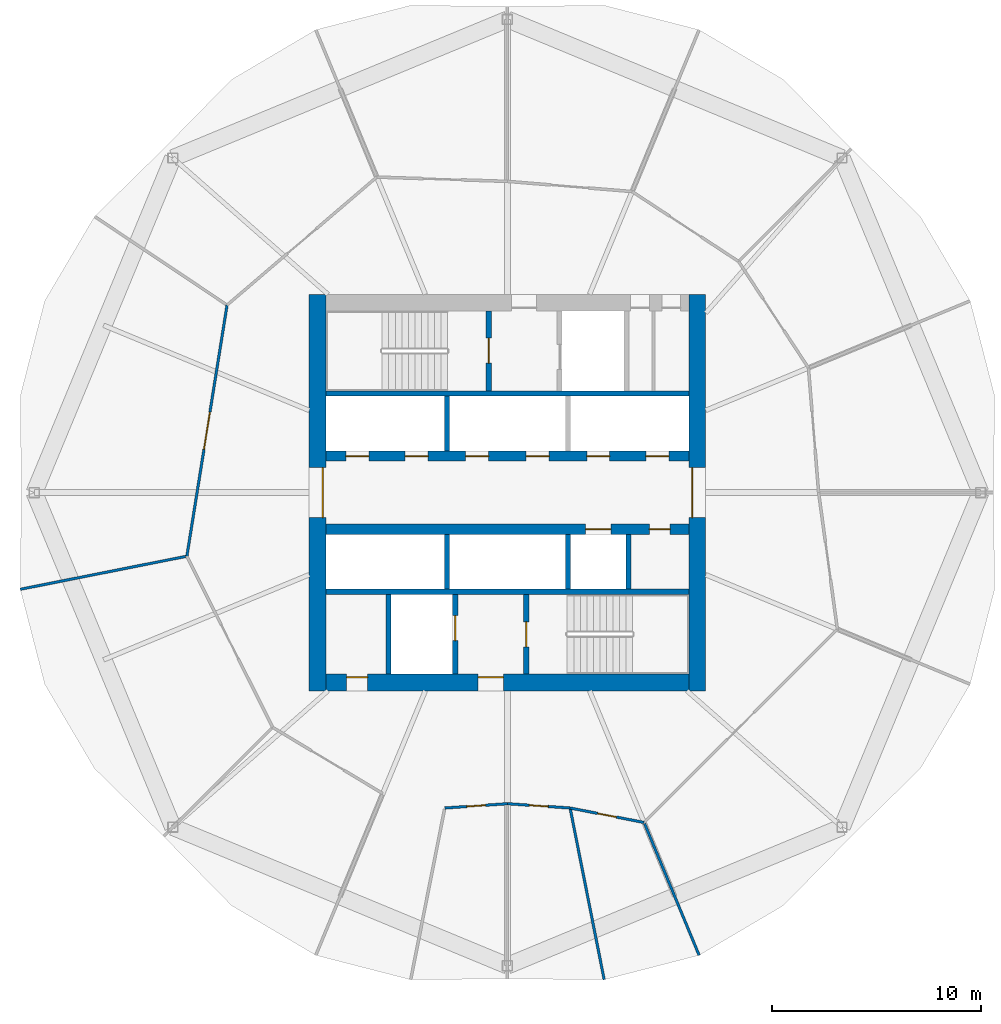
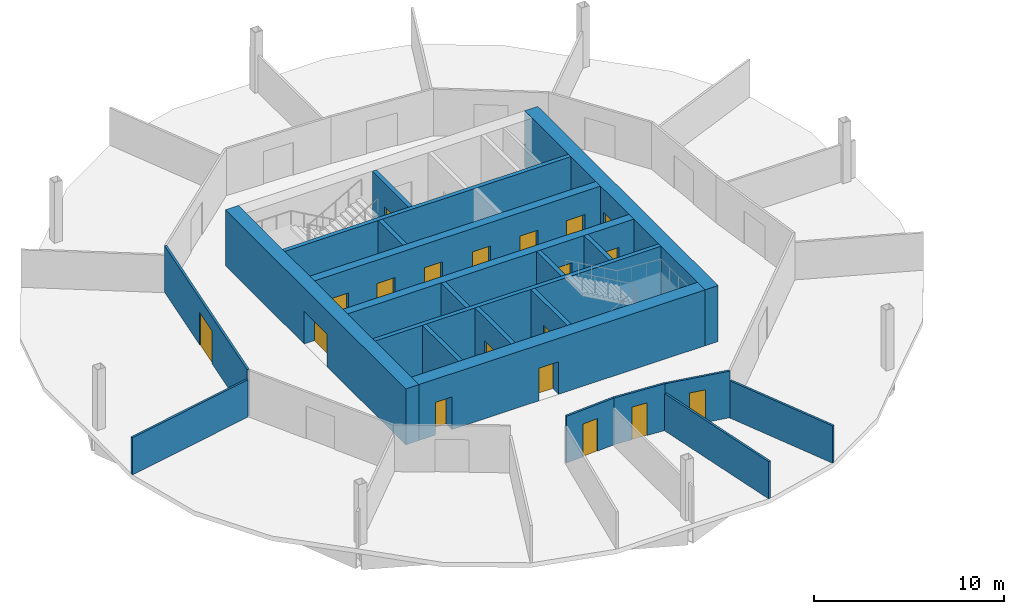
# One storey, part 4 of 9: 22 walls, 19 doors, 19 openings.
"""IFC4 building model written with IfcOpenShell, lengths in metres."""

from ifc_helpers import new_model, si_unit, direction, frame, frame_2d, origin, place, context, subcontext, project, spatial, rectangle, extrude, material, layer, layer_set, type_object, element, fill, save


model = new_model("IFC4")

# Units and contexts
model_context = context("Model", 3, precision=1e-05, world=origin(), true_north=direction((0.0, 1.0)))
body_context = subcontext(model_context, "Body", "Model", "MODEL_VIEW")
ifc_project = project(units=[si_unit("LENGTHUNIT", "METRE"), si_unit("AREAUNIT", "SQUARE_METRE"), si_unit("VOLUMEUNIT", "CUBIC_METRE"), si_unit("PLANEANGLEUNIT", "RADIAN"), si_unit("MASSUNIT", "GRAM", prefix="KILO")], contexts=[model_context])

# Site, building, storey
site_placement = place(None, origin())
site = spatial("IfcSite", under=ifc_project, at=site_placement, CompositionType="ELEMENT")
building_placement = place(site_placement, origin())
building = spatial("IfcBuilding", under=site, at=building_placement, Name="Ogive Gate Towers", CompositionType="ELEMENT")
storey_placement = place(building_placement, frame((0.0, 0.0, 80.10009765625)))
storey = spatial("IfcBuildingStorey", under=building, at=storey_placement, Name="L18", CompositionType="ELEMENT", Elevation=80.10009765625)

# Wall, openings, doors
ifc_material_1 = material(Name="Concrete C60/75", Category="concrete")
ifc_layer_1 = layer(ifc_material_1, 0.800048828125)
ifc_layer_set_1 = layer_set([ifc_layer_1], Name="Core wall 800 mm")
wall_type_1 = type_object("IfcWallType", Name="Core wall 800 mm", PredefinedType="SHEAR", material=ifc_layer_set_1)
wall_1_placement = place(storey_placement, frame((-44.699951171875, -9.10009765625, 0.0), z_axis=(0.0, 0.0, 1.0), x_axis=(1.0, 0.0, 0.0)))
wall_1 = element("IfcWall", 1, at=wall_1_placement, inside=storey, type_object=wall_type_1, Name="T1 L18 Core wall 800 mm", PredefinedType="SHEAR", context=body_context, shape_type="SweptSolid", body=[
    extrude(rectangle(XDim=17.39990234375, YDim=0.800048828125, at=frame_2d((8.699951171875, 0.0))), origin(), (0.0, 0.0, 1.0), 3.599853515625),
])
opening_1_placement = place(wall_1_placement, frame((7.300048828125, 0.0, 0.0)))
opening_1 = element("IfcOpeningElement", 2, at=opening_1_placement, cuts=wall_1, Name="Opening KD-T1-L18-16", PredefinedType="OPENING", context=body_context, shape_type="SweptSolid", body=[
    extrude(rectangle(XDim=1.199951171875, YDim=2.10009765625, at=frame_2d((0.60009765625, 1.050048828125))), frame((0.0, 0.41015625, 0.0), z_axis=(0.0, -1.0, 0.0), x_axis=(1.0, 0.0, 0.0)), (0.0, 0.0, 1.0), 0.820068359375),
])
opening_2_placement = place(wall_1_placement, frame((1.0, 0.0, 0.0)))
opening_2 = element("IfcOpeningElement", 3, at=opening_2_placement, cuts=wall_1, Name="Opening KD-T1-L18-19", PredefinedType="OPENING", context=body_context, shape_type="SweptSolid", body=[
    extrude(rectangle(XDim=1.0, YDim=2.10009765625, at=frame_2d((0.5, 1.050048828125))), frame((0.0, 0.41015625, 0.0), z_axis=(0.0, -1.0, 0.0), x_axis=(1.0, 0.0, 0.0)), (0.0, 0.0, 1.0), 0.820068359375),
])
ifc_material_2 = material(Name="Timber door", Category="wood")
door_type_1 = type_object("IfcDoorType", Name="Accessible WC door 1000 x 2100", OperationType="NOTDEFINED", PredefinedType="DOOR", material=ifc_material_2)
door_1_placement = place(opening_2_placement, origin())
door_1 = element("IfcDoor", 4, at=door_1_placement, inside=storey, type_object=door_type_1, Name="T1 L18 Core door", OperationType="SINGLE_SWING_RIGHT", OverallHeight=2.10009765625, OverallWidth=1.0, PredefinedType="DOOR", context=body_context, shape_type="SweptSolid", body=[
    extrude(rectangle(XDim=1.0, YDim=2.10009765625, at=frame_2d((0.5, 1.050048828125))), frame((0.0, 0.27490234375, 0.0), z_axis=(0.0, -1.0, 0.0), x_axis=(1.0, 0.0, 0.0)), (0.0, 0.0, 1.0), 0.050048828125),
])
fill(opening_2, door_1)
ifc_material_3 = material(Name="Steel fire door", Category="steel")
door_type_2 = type_object("IfcDoorType", Name="Core door FD60S 1200 x 2100", OperationType="NOTDEFINED", PredefinedType="DOOR", material=ifc_material_3)
door_2_placement = place(opening_1_placement, origin())
door_2 = element("IfcDoor", 5, at=door_2_placement, inside=storey, type_object=door_type_2, Name="T1 L18 Fire-fighting lobby door", OperationType="SINGLE_SWING_LEFT", OverallHeight=2.10009765625, OverallWidth=1.199951171875, PredefinedType="DOOR", context=body_context, shape_type="SweptSolid", body=[
    extrude(rectangle(XDim=1.199951171875, YDim=2.10009765625, at=frame_2d((0.60009765625, 1.050048828125))), frame((0.0, 0.27490234375, 0.0), z_axis=(0.0, -1.0, 0.0), x_axis=(1.0, 0.0, 0.0)), (0.0, 0.0, 1.0), 0.050048828125),
])
fill(opening_1, door_2)

# Wall, opening, door
wall_2_placement = place(storey_placement, frame((-45.10009765625, -9.5, 0.0), z_axis=(0.0, 0.0, 1.0), x_axis=(0.0, 1.0, 0.0)))
wall_2 = element("IfcWall", 6, at=wall_2_placement, inside=storey, type_object=wall_type_1, Name="T1 L18 Core wall 800 mm", PredefinedType="SHEAR", context=body_context, shape_type="SweptSolid", body=[
    extrude(rectangle(XDim=19.0, YDim=0.800048828125, at=frame_2d((9.5, 0.0))), origin(), (0.0, 0.0, 1.0), 3.599853515625),
])
opening_3_placement = place(wall_2_placement, frame((8.300048828125, 0.0, 0.0)))
opening_3 = element("IfcOpeningElement", 7, at=opening_3_placement, cuts=wall_2, Name="Opening KD-T1-L18-01", PredefinedType="OPENING", context=body_context, shape_type="SweptSolid", body=[
    extrude(rectangle(XDim=2.39990234375, YDim=2.10009765625, at=frame_2d((1.199951171875, 1.050048828125))), frame((0.0, 0.41015625, 0.0), z_axis=(0.0, -1.0, 0.0), x_axis=(1.0, 0.0, 0.0)), (0.0, 0.0, 1.0), 0.820068359375),
])
door_type_3 = type_object("IfcDoorType", Name="Core double door FD60S 2400 x 2100", OperationType="DOUBLE_DOOR_SINGLE_SWING", PredefinedType="DOOR", material=ifc_material_3)
door_3_placement = place(opening_3_placement, origin())
door_3 = element("IfcDoor", 8, at=door_3_placement, inside=storey, type_object=door_type_3, Name="T1 L18 Core door double", OperationType="DOUBLE_DOOR_SINGLE_SWING", OverallHeight=2.10009765625, OverallWidth=2.39990234375, PredefinedType="DOOR", context=body_context, shape_type="SweptSolid", body=[
    extrude(rectangle(XDim=2.39990234375, YDim=2.10009765625, at=frame_2d((1.199951171875, 1.050048828125))), frame((0.0, -0.22509765625, 0.0), z_axis=(0.0, -1.0, 0.0), x_axis=(1.0, 0.0, 0.0)), (0.0, 0.0, 1.0), 0.050048828125),
])
fill(opening_3, door_3)

wall_3_placement = place(storey_placement, frame((-26.89990234375, -9.5, 0.0), z_axis=(0.0, 0.0, 1.0), x_axis=(0.0, 1.0, 0.0)))
wall_3 = element("IfcWall", 9, at=wall_3_placement, inside=storey, type_object=wall_type_1, Name="T1 L18 Core wall 800 mm", PredefinedType="SHEAR", context=body_context, shape_type="SweptSolid", body=[
    extrude(rectangle(XDim=19.0, YDim=0.800048828125, at=frame_2d((9.5, 0.0))), origin(), (0.0, 0.0, 1.0), 3.599853515625),
])
opening_4_placement = place(wall_3_placement, frame((8.300048828125, 0.0, 0.0)))
opening_4 = element("IfcOpeningElement", 10, at=opening_4_placement, cuts=wall_3, Name="Opening KD-T1-L18-02", PredefinedType="OPENING", context=body_context, shape_type="SweptSolid", body=[
    extrude(rectangle(XDim=2.39990234375, YDim=2.10009765625, at=frame_2d((1.199951171875, 1.050048828125))), frame((0.0, 0.41015625, 0.0), z_axis=(0.0, -1.0, 0.0), x_axis=(1.0, 0.0, 0.0)), (0.0, 0.0, 1.0), 0.820068359375),
])
door_4_placement = place(opening_4_placement, origin())
door_4 = element("IfcDoor", 11, at=door_4_placement, inside=storey, type_object=door_type_3, Name="T1 L18 Core door double", OperationType="DOUBLE_DOOR_SINGLE_SWING", OverallHeight=2.10009765625, OverallWidth=2.39990234375, PredefinedType="DOOR", context=body_context, shape_type="SweptSolid", body=[
    extrude(rectangle(XDim=2.39990234375, YDim=2.10009765625, at=frame_2d((1.199951171875, 1.050048828125))), frame((0.0, 0.27490234375, 0.0), z_axis=(0.0, -1.0, 0.0), x_axis=(1.0, 0.0, 0.0)), (0.0, 0.0, 1.0), 0.050048828125),
])
fill(opening_4, door_4)

# Walls
ifc_material_4 = material(Name="Gypsum board partition")
ifc_layer_2 = layer(ifc_material_4, 0.125)
ifc_layer_set_2 = layer_set([ifc_layer_2], Name="Partition 125")
wall_type_2 = type_object("IfcWallType", Name="Partition 125", PredefinedType="PARTITIONING", material=ifc_layer_set_2)
wall_4_placement = place(storey_placement, frame((-59.34375, -4.6357421875, 0.0), z_axis=(0.0, 0.0, 1.0), x_axis=(0.980844858088, 0.194790565382, 0.0)))
element("IfcWall", 12, at=wall_4_placement, inside=storey, type_object=wall_type_2, Name="Partition T1-L18-008", PredefinedType="PARTITIONING", context=body_context, shape_type="SweptSolid", body=[
    extrude(rectangle(XDim=8.07666015625, YDim=0.125, at=frame_2d((4.038330078125, 0.0))), origin(), (0.0, 0.0, 1.0), 2.39990234375),
])
wall_5_placement = place(storey_placement, frame((-31.3642578125, -23.34375, 0.0), z_axis=(0.0, 0.0, 1.0), x_axis=(-0.194779590765, 0.980847037525, 0.0)))
element("IfcWall", 13, at=wall_5_placement, inside=storey, type_object=wall_type_2, Name="Partition T1-L18-013", PredefinedType="PARTITIONING", context=body_context, shape_type="SweptSolid", body=[
    extrude(rectangle(XDim=8.326416015625, YDim=0.125, at=frame_2d((4.1630859375, 0.0))), origin(), (0.0, 0.0, 1.0), 2.39990234375),
])
wall_6_placement = place(storey_placement, frame((-26.815673828125, -22.173095703125, 0.0), z_axis=(0.0, 0.0, 1.0), x_axis=(-0.382671864206, 0.923884324115, 0.0)))
element("IfcWall", 14, at=wall_6_placement, inside=storey, type_object=wall_type_2, Name="Partition T1-L18-014", PredefinedType="PARTITIONING", context=body_context, shape_type="SweptSolid", body=[
    extrude(rectangle(XDim=6.826416015625, YDim=0.125, at=frame_2d((3.4130859375, 0.0))), origin(), (0.0, 0.0, 1.0), 2.39990234375),
])

# Wall, opening, door
wall_7_placement = place(storey_placement, frame((-39.001708984375, -15.115478515625, 0.0), z_axis=(0.0, 0.0, 1.0), x_axis=(0.997663247132, 0.068323095086, 0.0)))
wall_7 = element("IfcWall", 15, at=wall_7_placement, inside=storey, type_object=wall_type_2, Name="Partition T1-L18-016", PredefinedType="PARTITIONING", context=body_context, shape_type="SweptSolid", body=[
    extrude(rectangle(XDim=3.0087890625, YDim=0.125, at=frame_2d((1.50439453125, 0.0))), origin(), (0.0, 0.0, 1.0), 3.010009765625),
])
opening_5_placement = place(wall_7_placement, frame((1.053955078125, 0.0, 0.0)))
opening_5 = element("IfcOpeningElement", 16, at=opening_5_placement, cuts=wall_7, Name="Opening T1-L18-D01", PredefinedType="OPENING", context=body_context, shape_type="SweptSolid", body=[
    extrude(rectangle(XDim=0.89990234375, YDim=2.10009765625, at=frame_2d((0.449951171875, 1.050048828125))), frame((0.0, 0.072509765625, 0.0), z_axis=(0.0, -1.0, 0.0), x_axis=(1.0, 0.0, 0.0)), (0.0, 0.0, 1.0), 0.14501953125),
])
door_type_4 = type_object("IfcDoorType", Name="Door 900", OperationType="NOTDEFINED", PredefinedType="DOOR", material=ifc_material_2)
door_5_placement = place(opening_5_placement, origin())
door_5 = element("IfcDoor", 17, at=door_5_placement, inside=storey, type_object=door_type_4, Name="Door T1-L18-D01", OperationType="SINGLE_SWING_RIGHT", OverallHeight=2.10009765625, OverallWidth=0.89990234375, PredefinedType="DOOR", context=body_context, shape_type="SweptSolid", body=[
    extrude(rectangle(XDim=0.89990234375, YDim=2.10009765625, at=frame_2d((0.449951171875, 1.050048828125))), frame((0.0, 0.02490234375, 0.0), z_axis=(0.0, -1.0, 0.0), x_axis=(1.0, 0.0, 0.0)), (0.0, 0.0, 1.0), 0.050048828125),
])
fill(opening_5, door_5)

wall_8_placement = place(storey_placement, frame((-36.0, -14.909912109375, 0.0), z_axis=(0.0, 0.0, 1.0), x_axis=(0.997663247132, -0.068323095086, 0.0)))
wall_8 = element("IfcWall", 18, at=wall_8_placement, inside=storey, type_object=wall_type_2, Name="Partition T1-L18-017", PredefinedType="PARTITIONING", context=body_context, shape_type="SweptSolid", body=[
    extrude(rectangle(XDim=3.0087890625, YDim=0.125, at=frame_2d((1.50439453125, 0.0))), origin(), (0.0, 0.0, 1.0), 3.010009765625),
])
opening_6_placement = place(wall_8_placement, frame((1.053955078125, 0.0, 0.0)))
opening_6 = element("IfcOpeningElement", 19, at=opening_6_placement, cuts=wall_8, Name="Opening T1-L18-D02", PredefinedType="OPENING", context=body_context, shape_type="SweptSolid", body=[
    extrude(rectangle(XDim=0.89990234375, YDim=2.10009765625, at=frame_2d((0.449951171875, 1.050048828125))), frame((0.0, 0.072509765625, 0.0), z_axis=(0.0, -1.0, 0.0), x_axis=(1.0, 0.0, 0.0)), (0.0, 0.0, 1.0), 0.14501953125),
])
door_6_placement = place(opening_6_placement, origin())
door_6 = element("IfcDoor", 20, at=door_6_placement, inside=storey, type_object=door_type_4, Name="Door T1-L18-D02", OperationType="SINGLE_SWING_LEFT", OverallHeight=2.10009765625, OverallWidth=0.89990234375, PredefinedType="DOOR", context=body_context, shape_type="SweptSolid", body=[
    extrude(rectangle(XDim=0.89990234375, YDim=2.10009765625, at=frame_2d((0.449951171875, 1.050048828125))), frame((0.0, 0.02490234375, 0.0), z_axis=(0.0, -1.0, 0.0), x_axis=(1.0, 0.0, 0.0)), (0.0, 0.0, 1.0), 0.050048828125),
])
fill(opening_6, door_6)

wall_9_placement = place(storey_placement, frame((-32.998291015625, -15.115478515625, 0.0), z_axis=(0.0, 0.0, 1.0), x_axis=(0.981431383332, -0.191813554817, 0.0)))
wall_9 = element("IfcWall", 21, at=wall_9_placement, inside=storey, type_object=wall_type_2, Name="Partition T1-L18-018", PredefinedType="PARTITIONING", context=body_context, shape_type="SweptSolid", body=[
    extrude(rectangle(XDim=3.613525390625, YDim=0.125, at=frame_2d((1.806640625, 0.0))), origin(), (0.0, 0.0, 1.0), 3.0),
])
opening_7_placement = place(wall_9_placement, frame((1.35693359375, 0.0, 0.0)))
opening_7 = element("IfcOpeningElement", 22, at=opening_7_placement, cuts=wall_9, Name="Opening T1-L18-D03", PredefinedType="OPENING", context=body_context, shape_type="SweptSolid", body=[
    extrude(rectangle(XDim=0.89990234375, YDim=2.10009765625, at=frame_2d((0.449951171875, 1.050048828125))), frame((0.0, 0.072509765625, 0.0), z_axis=(0.0, -1.0, 0.0), x_axis=(1.0, 0.0, 0.0)), (0.0, 0.0, 1.0), 0.14501953125),
])
door_7_placement = place(opening_7_placement, origin())
door_7 = element("IfcDoor", 23, at=door_7_placement, inside=storey, type_object=door_type_4, Name="Door T1-L18-D03", OperationType="SINGLE_SWING_RIGHT", OverallHeight=2.10009765625, OverallWidth=0.89990234375, PredefinedType="DOOR", context=body_context, shape_type="SweptSolid", body=[
    extrude(rectangle(XDim=0.89990234375, YDim=2.10009765625, at=frame_2d((0.449951171875, 1.050048828125))), frame((0.0, 0.02490234375, 0.0), z_axis=(0.0, -1.0, 0.0), x_axis=(1.0, 0.0, 0.0)), (0.0, 0.0, 1.0), 0.050048828125),
])
fill(opening_7, door_7)

wall_10_placement = place(storey_placement, frame((-49.43408203125, 8.982666015625, 0.0), z_axis=(0.0, 0.0, 1.0), x_axis=(-0.158089733584, -0.987424749606, 0.0)))
wall_10 = element("IfcWall", 24, at=wall_10_placement, inside=storey, type_object=wall_type_2, Name="Partition T1-L18-027", PredefinedType="PARTITIONING", context=body_context, shape_type="SweptSolid", body=[
    extrude(rectangle(XDim=12.186279296875, YDim=0.125, at=frame_2d((6.09326171875, 0.0))), origin(), (0.0, 0.0, 1.0), 3.0),
])
opening_8_placement = place(wall_10_placement, frame((5.193115234375, 0.0, 0.0)))
opening_8 = element("IfcOpeningElement", 25, at=opening_8_placement, cuts=wall_10, Name="Opening T1-L18-D12", PredefinedType="OPENING", context=body_context, shape_type="SweptSolid", body=[
    extrude(rectangle(XDim=1.800048828125, YDim=2.10009765625, at=frame_2d((0.89990234375, 1.050048828125))), frame((0.0, 0.072509765625, 0.0), z_axis=(0.0, -1.0, 0.0), x_axis=(1.0, 0.0, 0.0)), (0.0, 0.0, 1.0), 0.14501953125),
])
door_type_5 = type_object("IfcDoorType", Name="Door pair 1800", OperationType="NOTDEFINED", PredefinedType="DOOR", material=ifc_material_2)
door_8_placement = place(opening_8_placement, origin())
door_8 = element("IfcDoor", 26, at=door_8_placement, inside=storey, type_object=door_type_5, Name="Door T1-L18-D12", OperationType="DOUBLE_DOOR_DOUBLE_SWING", OverallHeight=2.10009765625, OverallWidth=1.800048828125, PredefinedType="DOOR", context=body_context, shape_type="SweptSolid", body=[
    extrude(rectangle(XDim=1.800048828125, YDim=2.10009765625, at=frame_2d((0.89990234375, 1.050048828125))), frame((0.0, 0.02490234375, 0.0), z_axis=(0.0, -1.0, 0.0), x_axis=(1.0, 0.0, 0.0)), (0.0, 0.0, 1.0), 0.050048828125),
])
fill(opening_8, door_8)

# Walls
ifc_layer_3 = layer(ifc_material_1, 0.25)
ifc_layer_set_3 = layer_set([ifc_layer_3], Name="Shaft wall 250 mm")
wall_type_3 = type_object("IfcWallType", Name="Shaft wall 250 mm", PredefinedType="SHEAR", material=ifc_layer_set_3)
for number, where, z_axis, x_axis, name in (
    (27, (-44.699951171875, -4.75, 0.0), (0.0, 0.0, 1.0), (1.0, 0.0, 0.0), "T1 L18 Shaft wall 250 mm"),
    (28, (-44.699951171875, 4.75, 0.0), (0.0, 0.0, 1.0), (1.0, 0.0, 0.0), "T1 L18 Shaft wall 250 mm"),
):
    element("IfcWall", number, at=place(storey_placement, frame(where, z_axis=z_axis, x_axis=x_axis)), inside=storey, type_object=wall_type_3, Name=name, PredefinedType="SHEAR", context=body_context, shape_type="SweptSolid", body=[
        extrude(rectangle(XDim=17.39990234375, YDim=0.25, at=frame_2d((8.699951171875, 0.0))), origin(), (0.0, 0.0, 1.0), 3.599853515625),
    ])
wall_11_placement = place(storey_placement, frame((-41.699951171875, -8.699951171875, 0.0), z_axis=(0.0, 0.0, 1.0), x_axis=(0.0, 1.0, 0.0)))
element("IfcWall", 29, at=wall_11_placement, inside=storey, type_object=wall_type_3, Name="T1 L18 Shaft wall 250 mm", PredefinedType="SHEAR", context=body_context, shape_type="SweptSolid", body=[
    extrude(rectangle(XDim=3.824951171875, YDim=0.25, at=frame_2d((1.91259765625, 0.0))), origin(), (0.0, 0.0, 1.0), 3.599853515625),
])
for number, where, z_axis, x_axis, name in (
    (30, (-38.89990234375, -4.625, 0.0), (0.0, 0.0, 1.0), (0.0, 1.0, 0.0), "T1 L18 Shaft wall 250 mm"),
    (31, (-38.89990234375, 2.0, 0.0), (0.0, 0.0, 1.0), (0.0, 1.0, 0.0), "T1 L18 Shaft wall 250 mm"),
):
    element("IfcWall", number, at=place(storey_placement, frame(where, z_axis=z_axis, x_axis=x_axis)), inside=storey, type_object=wall_type_3, Name=name, PredefinedType="SHEAR", context=body_context, shape_type="SweptSolid", body=[
        extrude(rectangle(XDim=2.625, YDim=0.25, at=frame_2d((1.3125, 0.0))), origin(), (0.0, 0.0, 1.0), 3.599853515625),
    ])

# Wall, opening, door
wall_12_placement = place(storey_placement, frame((-38.5, -8.699951171875, 0.0), z_axis=(0.0, 0.0, 1.0), x_axis=(0.0, 1.0, 0.0)))
wall_12 = element("IfcWall", 32, at=wall_12_placement, inside=storey, type_object=wall_type_3, Name="T1 L18 Shaft wall 250 mm", PredefinedType="SHEAR", context=body_context, shape_type="SweptSolid", body=[
    extrude(rectangle(XDim=3.824951171875, YDim=0.25, at=frame_2d((1.91259765625, 0.0))), origin(), (0.0, 0.0, 1.0), 3.599853515625),
])
opening_9_placement = place(wall_12_placement, frame((1.60009765625, 0.0, 0.0)))
opening_9 = element("IfcOpeningElement", 33, at=opening_9_placement, cuts=wall_12, Name="Opening LD-T1-L18-11", PredefinedType="OPENING", context=body_context, shape_type="SweptSolid", body=[
    extrude(rectangle(XDim=1.199951171875, YDim=2.10009765625, at=frame_2d((0.60009765625, 1.050048828125))), frame((0.0, 0.135009765625, 0.0), z_axis=(0.0, -1.0, 0.0), x_axis=(1.0, 0.0, 0.0)), (0.0, 0.0, 1.0), 0.27001953125),
])
ifc_material_5 = material(Name="Stainless steel landing door", Category="steel")
door_type_6 = type_object("IfcDoorType", Name="Landing door 1200 x 2100", OperationType="SLIDING_TO_LEFT", PredefinedType="DOOR", material=ifc_material_5)
door_9_placement = place(opening_9_placement, origin())
door_9 = element("IfcDoor", 34, at=door_9_placement, inside=storey, type_object=door_type_6, Name="T1 L18 Lift landing door FF2", OperationType="SLIDING_TO_LEFT", OverallHeight=2.10009765625, OverallWidth=1.199951171875, PredefinedType="DOOR", context=body_context, shape_type="SweptSolid", body=[
    extrude(rectangle(XDim=1.199951171875, YDim=2.10009765625, at=frame_2d((0.60009765625, 1.050048828125))), frame((0.0, 0.02490234375, 0.0), z_axis=(0.0, -1.0, 0.0), x_axis=(1.0, 0.0, 0.0)), (0.0, 0.0, 1.0), 0.050048828125),
])
fill(opening_9, door_9)

wall_13_placement = place(storey_placement, frame((-36.89990234375, 4.875, 0.0), z_axis=(0.0, 0.0, 1.0), x_axis=(0.0, 1.0, 0.0)))
wall_13 = element("IfcWall", 35, at=wall_13_placement, inside=storey, type_object=wall_type_3, Name="T1 L18 Shaft wall 250 mm", PredefinedType="SHEAR", context=body_context, shape_type="SweptSolid", body=[
    extrude(rectangle(XDim=3.824951171875, YDim=0.25, at=frame_2d((1.91259765625, 0.0))), origin(), (0.0, 0.0, 1.0), 3.599853515625),
])
opening_10_placement = place(wall_13_placement, frame((1.324951171875, 0.0, 0.0)))
opening_10 = element("IfcOpeningElement", 36, at=opening_10_placement, cuts=wall_13, Name="Opening KD-T1-L18-13", PredefinedType="OPENING", context=body_context, shape_type="SweptSolid", body=[
    extrude(rectangle(XDim=1.199951171875, YDim=2.10009765625, at=frame_2d((0.60009765625, 1.050048828125))), frame((0.0, 0.135009765625, 0.0), z_axis=(0.0, -1.0, 0.0), x_axis=(1.0, 0.0, 0.0)), (0.0, 0.0, 1.0), 0.27001953125),
])
door_10_placement = place(opening_10_placement, origin())
door_10 = element("IfcDoor", 37, at=door_10_placement, inside=storey, type_object=door_type_2, Name="T1 L18 Stair door", OperationType="SINGLE_SWING_RIGHT", OverallHeight=2.10009765625, OverallWidth=1.199951171875, PredefinedType="DOOR", context=body_context, shape_type="SweptSolid", body=[
    extrude(rectangle(XDim=1.199951171875, YDim=2.10009765625, at=frame_2d((0.60009765625, 1.050048828125))), frame((0.0, 0.02490234375, 0.0), z_axis=(0.0, -1.0, 0.0), x_axis=(1.0, 0.0, 0.0)), (0.0, 0.0, 1.0), 0.050048828125),
])
fill(opening_10, door_10)

wall_14_placement = place(storey_placement, frame((-35.10009765625, -8.699951171875, 0.0), z_axis=(0.0, 0.0, 1.0), x_axis=(0.0, 1.0, 0.0)))
wall_14 = element("IfcWall", 38, at=wall_14_placement, inside=storey, type_object=wall_type_3, Name="T1 L18 Shaft wall 250 mm", PredefinedType="SHEAR", context=body_context, shape_type="SweptSolid", body=[
    extrude(rectangle(XDim=3.824951171875, YDim=0.25, at=frame_2d((1.91259765625, 0.0))), origin(), (0.0, 0.0, 1.0), 3.599853515625),
])
opening_11_placement = place(wall_14_placement, frame((1.300048828125, 0.0, 0.0)))
opening_11 = element("IfcOpeningElement", 39, at=opening_11_placement, cuts=wall_14, Name="Opening KD-T1-L18-14", PredefinedType="OPENING", context=body_context, shape_type="SweptSolid", body=[
    extrude(rectangle(XDim=1.199951171875, YDim=2.10009765625, at=frame_2d((0.60009765625, 1.050048828125))), frame((0.0, 0.135009765625, 0.0), z_axis=(0.0, -1.0, 0.0), x_axis=(1.0, 0.0, 0.0)), (0.0, 0.0, 1.0), 0.27001953125),
])
door_11_placement = place(opening_11_placement, origin())
door_11 = element("IfcDoor", 40, at=door_11_placement, inside=storey, type_object=door_type_2, Name="T1 L18 Stair door", OperationType="SINGLE_SWING_LEFT", OverallHeight=2.10009765625, OverallWidth=1.199951171875, PredefinedType="DOOR", context=body_context, shape_type="SweptSolid", body=[
    extrude(rectangle(XDim=1.199951171875, YDim=2.10009765625, at=frame_2d((0.60009765625, 1.050048828125))), frame((0.0, 0.02490234375, 0.0), z_axis=(0.0, -1.0, 0.0), x_axis=(1.0, 0.0, 0.0)), (0.0, 0.0, 1.0), 0.050048828125),
])
fill(opening_11, door_11)

# Walls
for number, where, z_axis, x_axis, name in (
    (41, (-33.10009765625, -4.625, 0.0), (0.0, 0.0, 1.0), (0.0, 1.0, 0.0), "T1 L18 Shaft wall 250 mm"),
    (42, (-30.199951171875, -4.625, 0.0), (0.0, 0.0, 1.0), (0.0, 1.0, 0.0), "T1 L18 Shaft wall 250 mm"),
):
    element("IfcWall", number, at=place(storey_placement, frame(where, z_axis=z_axis, x_axis=x_axis)), inside=storey, type_object=wall_type_3, Name=name, PredefinedType="SHEAR", context=body_context, shape_type="SweptSolid", body=[
        extrude(rectangle(XDim=2.625, YDim=0.25, at=frame_2d((1.3125, 0.0))), origin(), (0.0, 0.0, 1.0), 3.599853515625),
    ])

# Wall, openings, doors
ifc_layer_4 = layer(ifc_material_1, 0.5)
ifc_layer_set_4 = layer_set([ifc_layer_4], Name="Spine wall 500 mm")
wall_type_4 = type_object("IfcWallType", Name="Spine wall 500 mm", PredefinedType="SHEAR", material=ifc_layer_set_4)
wall_15_placement = place(storey_placement, frame((-44.699951171875, -1.75, 0.0), z_axis=(0.0, 0.0, 1.0), x_axis=(1.0, 0.0, 0.0)))
wall_15 = element("IfcWall", 43, at=wall_15_placement, inside=storey, type_object=wall_type_4, Name="T1 L18 Spine wall 500 mm", PredefinedType="SHEAR", context=body_context, shape_type="SweptSolid", body=[
    extrude(rectangle(XDim=17.39990234375, YDim=0.5, at=frame_2d((8.699951171875, 0.0))), origin(), (0.0, 0.0, 1.0), 3.599853515625),
])
opening_12_placement = place(wall_15_placement, frame((12.449951171875, 0.0, 0.0)))
opening_12 = element("IfcOpeningElement", 44, at=opening_12_placement, cuts=wall_15, Name="Opening LD-T1-L18-09", PredefinedType="OPENING", context=body_context, shape_type="SweptSolid", body=[
    extrude(rectangle(XDim=1.199951171875, YDim=2.10009765625, at=frame_2d((0.60009765625, 1.050048828125))), frame((0.0, 0.260009765625, 0.0), z_axis=(0.0, -1.0, 0.0), x_axis=(1.0, 0.0, 0.0)), (0.0, 0.0, 1.0), 0.52001953125),
])
opening_13_placement = place(wall_15_placement, frame((15.5, 0.0, 0.0)))
opening_13 = element("IfcOpeningElement", 45, at=opening_13_placement, cuts=wall_15, Name="Opening KD-T1-L18-12", PredefinedType="OPENING", context=body_context, shape_type="SweptSolid", body=[
    extrude(rectangle(XDim=1.0, YDim=2.10009765625, at=frame_2d((0.5, 1.050048828125))), frame((0.0, 0.260009765625, 0.0), z_axis=(0.0, -1.0, 0.0), x_axis=(1.0, 0.0, 0.0)), (0.0, 0.0, 1.0), 0.52001953125),
])
door_type_7 = type_object("IfcDoorType", Name="Core door FD60S 1000 x 2100", OperationType="NOTDEFINED", PredefinedType="DOOR", material=ifc_material_3)
door_12_placement = place(opening_13_placement, origin())
door_12 = element("IfcDoor", 46, at=door_12_placement, inside=storey, type_object=door_type_7, Name="T1 L18 Core door", OperationType="SINGLE_SWING_LEFT", OverallHeight=2.10009765625, OverallWidth=1.0, PredefinedType="DOOR", context=body_context, shape_type="SweptSolid", body=[
    extrude(rectangle(XDim=1.0, YDim=2.10009765625, at=frame_2d((0.5, 1.050048828125))), frame((0.0, 0.02490234375, 0.0), z_axis=(0.0, -1.0, 0.0), x_axis=(1.0, 0.0, 0.0)), (0.0, 0.0, 1.0), 0.050048828125),
])
fill(opening_13, door_12)
door_13_placement = place(opening_12_placement, origin())
door_13 = element("IfcDoor", 47, at=door_13_placement, inside=storey, type_object=door_type_6, Name="T1 L18 Lift landing door SVC", OperationType="SLIDING_TO_LEFT", OverallHeight=2.10009765625, OverallWidth=1.199951171875, PredefinedType="DOOR", context=body_context, shape_type="SweptSolid", body=[
    extrude(rectangle(XDim=1.199951171875, YDim=2.10009765625, at=frame_2d((0.60009765625, 1.050048828125))), frame((0.0, 0.02490234375, 0.0), z_axis=(0.0, -1.0, 0.0), x_axis=(1.0, 0.0, 0.0)), (0.0, 0.0, 1.0), 0.050048828125),
])
fill(opening_12, door_13)

wall_16_placement = place(storey_placement, frame((-44.699951171875, 1.75, 0.0), z_axis=(0.0, 0.0, 1.0), x_axis=(1.0, 0.0, 0.0)))
wall_16 = element("IfcWall", 48, at=wall_16_placement, inside=storey, type_object=wall_type_4, Name="T1 L18 Spine wall 500 mm", PredefinedType="SHEAR", context=body_context, shape_type="SweptSolid", body=[
    extrude(rectangle(XDim=17.39990234375, YDim=0.5, at=frame_2d((8.699951171875, 0.0))), origin(), (0.0, 0.0, 1.0), 3.599853515625),
])
opening_14_placement = place(wall_16_placement, frame((0.96240234375, 0.0, 0.0)))
opening_14 = element("IfcOpeningElement", 49, at=opening_14_placement, cuts=wall_16, Name="Opening LD-T1-L18-03", PredefinedType="OPENING", context=body_context, shape_type="SweptSolid", body=[
    extrude(rectangle(XDim=1.10009765625, YDim=2.10009765625, at=frame_2d((0.550048828125, 1.050048828125))), frame((0.0, 0.260009765625, 0.0), z_axis=(0.0, -1.0, 0.0), x_axis=(1.0, 0.0, 0.0)), (0.0, 0.0, 1.0), 0.52001953125),
])
opening_15_placement = place(wall_16_placement, frame((3.800048828125, 0.0, 0.0)))
opening_15 = element("IfcOpeningElement", 50, at=opening_15_placement, cuts=wall_16, Name="Opening LD-T1-L18-04", PredefinedType="OPENING", context=body_context, shape_type="SweptSolid", body=[
    extrude(rectangle(XDim=1.10009765625, YDim=2.10009765625, at=frame_2d((0.550048828125, 1.050048828125))), frame((0.0, 0.260009765625, 0.0), z_axis=(0.0, -1.0, 0.0), x_axis=(1.0, 0.0, 0.0)), (0.0, 0.0, 1.0), 0.52001953125),
])
opening_16_placement = place(wall_16_placement, frame((6.699951171875, 0.0, 0.0)))
opening_16 = element("IfcOpeningElement", 51, at=opening_16_placement, cuts=wall_16, Name="Opening LD-T1-L18-05", PredefinedType="OPENING", context=body_context, shape_type="SweptSolid", body=[
    extrude(rectangle(XDim=1.10009765625, YDim=2.10009765625, at=frame_2d((0.550048828125, 1.050048828125))), frame((0.0, 0.260009765625, 0.0), z_axis=(0.0, -1.0, 0.0), x_axis=(1.0, 0.0, 0.0)), (0.0, 0.0, 1.0), 0.52001953125),
])
opening_17_placement = place(wall_16_placement, frame((9.60009765625, 0.0, 0.0)))
opening_17 = element("IfcOpeningElement", 52, at=opening_17_placement, cuts=wall_16, Name="Opening LD-T1-L18-06", PredefinedType="OPENING", context=body_context, shape_type="SweptSolid", body=[
    extrude(rectangle(XDim=1.10009765625, YDim=2.10009765625, at=frame_2d((0.550048828125, 1.050048828125))), frame((0.0, 0.260009765625, 0.0), z_axis=(0.0, -1.0, 0.0), x_axis=(1.0, 0.0, 0.0)), (0.0, 0.0, 1.0), 0.52001953125),
])
opening_18_placement = place(wall_16_placement, frame((12.5, 0.0, 0.0)))
opening_18 = element("IfcOpeningElement", 53, at=opening_18_placement, cuts=wall_16, Name="Opening LD-T1-L18-07", PredefinedType="OPENING", context=body_context, shape_type="SweptSolid", body=[
    extrude(rectangle(XDim=1.10009765625, YDim=2.10009765625, at=frame_2d((0.550048828125, 1.050048828125))), frame((0.0, 0.260009765625, 0.0), z_axis=(0.0, -1.0, 0.0), x_axis=(1.0, 0.0, 0.0)), (0.0, 0.0, 1.0), 0.52001953125),
])
opening_19_placement = place(wall_16_placement, frame((15.33740234375, 0.0, 0.0)))
opening_19 = element("IfcOpeningElement", 54, at=opening_19_placement, cuts=wall_16, Name="Opening LD-T1-L18-08", PredefinedType="OPENING", context=body_context, shape_type="SweptSolid", body=[
    extrude(rectangle(XDim=1.10009765625, YDim=2.10009765625, at=frame_2d((0.550048828125, 1.050048828125))), frame((0.0, 0.260009765625, 0.0), z_axis=(0.0, -1.0, 0.0), x_axis=(1.0, 0.0, 0.0)), (0.0, 0.0, 1.0), 0.52001953125),
])
door_type_8 = type_object("IfcDoorType", Name="Landing door 1100 x 2100", OperationType="SLIDING_TO_LEFT", PredefinedType="DOOR", material=ifc_material_5)
door_14_placement = place(opening_14_placement, origin())
door_14 = element("IfcDoor", 55, at=door_14_placement, inside=storey, type_object=door_type_8, Name="T1 L18 Lift landing door A1", OperationType="SLIDING_TO_LEFT", OverallHeight=2.10009765625, OverallWidth=1.10009765625, PredefinedType="DOOR", context=body_context, shape_type="SweptSolid", body=[
    extrude(rectangle(XDim=1.10009765625, YDim=2.10009765625, at=frame_2d((0.550048828125, 1.050048828125))), frame((0.0, 0.02490234375, 0.0), z_axis=(0.0, -1.0, 0.0), x_axis=(1.0, 0.0, 0.0)), (0.0, 0.0, 1.0), 0.050048828125),
])
fill(opening_14, door_14)
door_15_placement = place(opening_15_placement, origin())
door_15 = element("IfcDoor", 56, at=door_15_placement, inside=storey, type_object=door_type_8, Name="T1 L18 Lift landing door A2", OperationType="SLIDING_TO_LEFT", OverallHeight=2.10009765625, OverallWidth=1.10009765625, PredefinedType="DOOR", context=body_context, shape_type="SweptSolid", body=[
    extrude(rectangle(XDim=1.10009765625, YDim=2.10009765625, at=frame_2d((0.550048828125, 1.050048828125))), frame((0.0, 0.02490234375, 0.0), z_axis=(0.0, -1.0, 0.0), x_axis=(1.0, 0.0, 0.0)), (0.0, 0.0, 1.0), 0.050048828125),
])
fill(opening_15, door_15)
door_16_placement = place(opening_16_placement, origin())
door_16 = element("IfcDoor", 57, at=door_16_placement, inside=storey, type_object=door_type_8, Name="T1 L18 Lift landing door A3", OperationType="SLIDING_TO_LEFT", OverallHeight=2.10009765625, OverallWidth=1.10009765625, PredefinedType="DOOR", context=body_context, shape_type="SweptSolid", body=[
    extrude(rectangle(XDim=1.10009765625, YDim=2.10009765625, at=frame_2d((0.550048828125, 1.050048828125))), frame((0.0, 0.02490234375, 0.0), z_axis=(0.0, -1.0, 0.0), x_axis=(1.0, 0.0, 0.0)), (0.0, 0.0, 1.0), 0.050048828125),
])
fill(opening_16, door_16)
door_17_placement = place(opening_17_placement, origin())
door_17 = element("IfcDoor", 58, at=door_17_placement, inside=storey, type_object=door_type_8, Name="T1 L18 Lift landing door A4", OperationType="SLIDING_TO_LEFT", OverallHeight=2.10009765625, OverallWidth=1.10009765625, PredefinedType="DOOR", context=body_context, shape_type="SweptSolid", body=[
    extrude(rectangle(XDim=1.10009765625, YDim=2.10009765625, at=frame_2d((0.550048828125, 1.050048828125))), frame((0.0, 0.02490234375, 0.0), z_axis=(0.0, -1.0, 0.0), x_axis=(1.0, 0.0, 0.0)), (0.0, 0.0, 1.0), 0.050048828125),
])
fill(opening_17, door_17)
door_18_placement = place(opening_18_placement, origin())
door_18 = element("IfcDoor", 59, at=door_18_placement, inside=storey, type_object=door_type_8, Name="T1 L18 Lift landing door A5", OperationType="SLIDING_TO_LEFT", OverallHeight=2.10009765625, OverallWidth=1.10009765625, PredefinedType="DOOR", context=body_context, shape_type="SweptSolid", body=[
    extrude(rectangle(XDim=1.10009765625, YDim=2.10009765625, at=frame_2d((0.550048828125, 1.050048828125))), frame((0.0, 0.02490234375, 0.0), z_axis=(0.0, -1.0, 0.0), x_axis=(1.0, 0.0, 0.0)), (0.0, 0.0, 1.0), 0.050048828125),
])
fill(opening_18, door_18)
door_19_placement = place(opening_19_placement, origin())
door_19 = element("IfcDoor", 60, at=door_19_placement, inside=storey, type_object=door_type_8, Name="T1 L18 Lift landing door A6", OperationType="SLIDING_TO_LEFT", OverallHeight=2.10009765625, OverallWidth=1.10009765625, PredefinedType="DOOR", context=body_context, shape_type="SweptSolid", body=[
    extrude(rectangle(XDim=1.10009765625, YDim=2.10009765625, at=frame_2d((0.550048828125, 1.050048828125))), frame((0.0, 0.02490234375, 0.0), z_axis=(0.0, -1.0, 0.0), x_axis=(1.0, 0.0, 0.0)), (0.0, 0.0, 1.0), 0.050048828125),
])
fill(opening_19, door_19)

save(model, "model.ifc")
